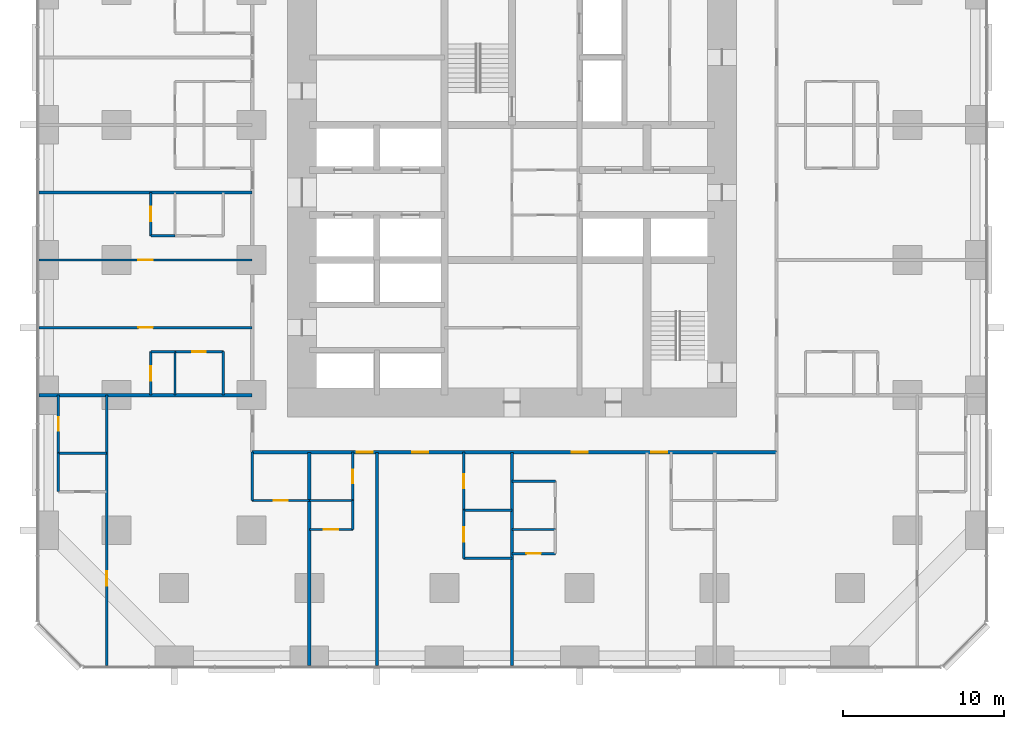
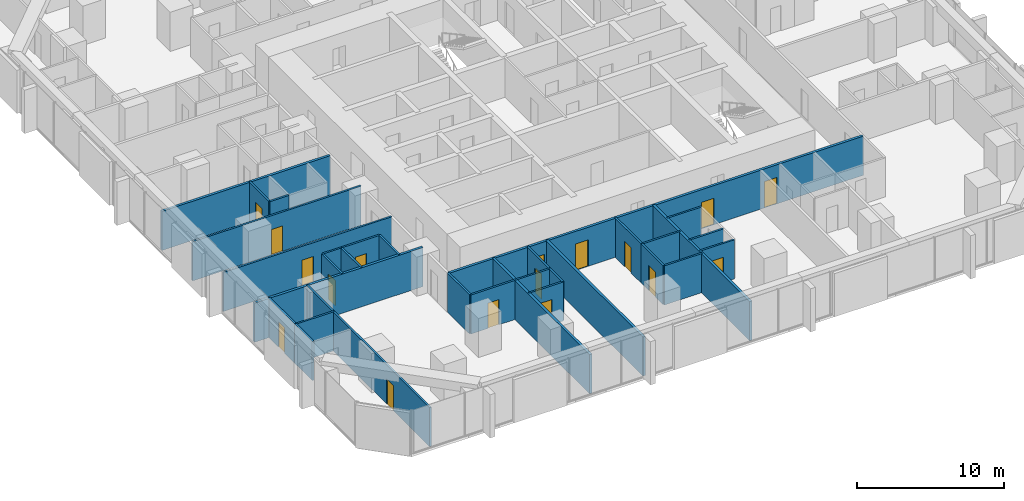
# One storey, part 11 of 17: 32 walls, 17 doors, 17 openings.
"""IFC4 building model written with IfcOpenShell, lengths in metres."""

from ifc_helpers import new_model, si_unit, direction, frame, frame_2d, origin, place, context, subcontext, project, spatial, rectangle, extrude, material, layer, layer_set, type_object, element, fill, save


model = new_model("IFC4")

# Units and contexts
model_context = context("Model", 3, precision=1e-05, world=origin(), true_north=direction((0.0, 1.0)))
body_context = subcontext(model_context, "Body", "Model", "MODEL_VIEW")
ifc_project = project(units=[si_unit("LENGTHUNIT", "METRE"), si_unit("AREAUNIT", "SQUARE_METRE"), si_unit("VOLUMEUNIT", "CUBIC_METRE"), si_unit("PLANEANGLEUNIT", "RADIAN"), si_unit("MASSUNIT", "GRAM", prefix="KILO")], contexts=[model_context])

# Site, building, storey
site_placement = place(None, origin())
site = spatial("IfcSite", under=ifc_project, at=site_placement, CompositionType="ELEMENT")
building_placement = place(site_placement, origin())
building = spatial("IfcBuilding", under=site, at=building_placement, Name="Dunama Terrace Hotel", CompositionType="ELEMENT")
storey_placement = place(building_placement, frame((0.0, 0.0, 34.199951171875)))
storey = spatial("IfcBuildingStorey", under=building, at=storey_placement, Name="L07", CompositionType="ELEMENT", Elevation=34.199951171875)

# Wall, opening, door
ifc_material_1 = material(Name="Gypsum board partition", Category="masonry")
ifc_layer_1 = layer(ifc_material_1, 0.14990234375)
ifc_layer_set_1 = layer_set([ifc_layer_1], Name="Bathroom partition 150")
wall_type_1 = type_object("IfcWallType", Name="Bathroom partition 150", PredefinedType="PARTITIONING", material=ifc_layer_set_1)
wall_1_placement = place(storey_placement, frame((1.199951171875, 13.199951171875, 0.0), z_axis=(0.0, 0.0, 1.0), x_axis=(0.0, 1.0, 0.0)))
wall_1 = element("IfcWall", 1, at=wall_1_placement, inside=storey, type_object=wall_type_1, Name="Bathroom partition 150 L07", PredefinedType="PARTITIONING", context=body_context, shape_type="SweptSolid", body=[
    extrude(rectangle(XDim=3.60009765625, YDim=0.14990234375, at=frame_2d((1.800048828125, 0.0))), origin(), (0.0, 0.0, 1.0), 3.25),
])
opening_1_placement = place(wall_1_placement, frame((1.375, 0.0, 0.0)))
opening_1 = element("IfcOpeningElement", 2, at=opening_1_placement, cuts=wall_1, Name="Opening L07-09-061", PredefinedType="OPENING", context=body_context, shape_type="SweptSolid", body=[
    extrude(rectangle(XDim=0.85009765625, YDim=2.10009765625, at=frame_2d((0.425048828125, 1.050048828125))), frame((0.0, 0.0849609375, 0.0), z_axis=(0.0, -1.0, 0.0), x_axis=(1.0, 0.0, 0.0)), (0.0, 0.0, 1.0), 0.169921875),
])
ifc_material_2 = material(Name="Timber door with steel frame", Category="steel")
door_type_1 = type_object("IfcDoorType", Name="Bathroom door 850", OperationType="SINGLE_SWING_LEFT", PredefinedType="DOOR", material=ifc_material_2)
door_1_placement = place(opening_1_placement, frame((0.85009765625, 0.0, 0.0), z_axis=(0.0, 0.0, 1.0), x_axis=(-1.0, 0.0, 0.0)))
door_1 = element("IfcDoor", 3, at=door_1_placement, inside=storey, type_object=door_type_1, Name="Door to en-suite bathroom L07-09-061, type D2", OperationType="SINGLE_SWING_LEFT", OverallHeight=2.10009765625, OverallWidth=0.85009765625, PredefinedType="DOOR", context=body_context, shape_type="SweptSolid", body=[
    extrude(rectangle(XDim=0.85009765625, YDim=2.10009765625, at=frame_2d((0.425048828125, 1.050048828125))), frame((0.0, 0.025146484375, 0.0), z_axis=(0.0, -1.0, 0.0), x_axis=(1.0, 0.0, 0.0)), (0.0, 0.0, 1.0), 0.050048828125),
])
fill(opening_1, door_1)

# Walls
wall_2_placement = place(storey_placement, frame((11.449951171875, 16.800048828125, 0.0), z_axis=(0.0, 0.0, 1.0), x_axis=(0.0, 1.0, 0.0)))
element("IfcWall", 4, at=wall_2_placement, inside=storey, type_object=wall_type_1, Name="Bathroom partition 150 L07", PredefinedType="PARTITIONING", context=body_context, shape_type="SweptSolid", body=[
    extrude(rectangle(XDim=2.699951171875, YDim=0.14990234375, at=frame_2d((1.35009765625, 0.0))), origin(), (0.0, 0.0, 1.0), 3.25),
])
wall_3_placement = place(storey_placement, frame((13.25, 10.25, 0.0), z_axis=(0.0, 0.0, 1.0), x_axis=(0.0, 1.0, 0.0)))
element("IfcWall", 5, at=wall_3_placement, inside=storey, type_object=wall_type_1, Name="Bathroom partition 150 L07", PredefinedType="PARTITIONING", context=body_context, shape_type="SweptSolid", body=[
    extrude(rectangle(XDim=3.0, YDim=0.14990234375, at=frame_2d((1.5, 0.0))), origin(), (0.0, 0.0, 1.0), 3.25),
])

# Wall, opening, door
wall_4_placement = place(storey_placement, frame((19.5, 10.25, 0.0), z_axis=(0.0, 0.0, 1.0), x_axis=(0.0, 1.0, 0.0)))
wall_4 = element("IfcWall", 6, at=wall_4_placement, inside=storey, type_object=wall_type_1, Name="Bathroom partition 150 L07", PredefinedType="PARTITIONING", context=body_context, shape_type="SweptSolid", body=[
    extrude(rectangle(XDim=3.0, YDim=0.14990234375, at=frame_2d((1.5, 0.0))), origin(), (0.0, 0.0, 1.0), 3.25),
])
opening_2_placement = place(wall_4_placement, frame((1.074951171875, 0.0, 0.0)))
opening_2 = element("IfcOpeningElement", 7, at=opening_2_placement, cuts=wall_4, Name="Opening L07-09-010", PredefinedType="OPENING", context=body_context, shape_type="SweptSolid", body=[
    extrude(rectangle(XDim=0.85009765625, YDim=2.10009765625, at=frame_2d((0.425048828125, 1.050048828125))), frame((0.0, 0.0849609375, 0.0), z_axis=(0.0, -1.0, 0.0), x_axis=(1.0, 0.0, 0.0)), (0.0, 0.0, 1.0), 0.169921875),
])
door_2_placement = place(opening_2_placement, origin())
door_2 = element("IfcDoor", 8, at=door_2_placement, inside=storey, type_object=door_type_1, Name="Door to en-suite bathroom L07-09-010, type D2", OperationType="SINGLE_SWING_RIGHT", OverallHeight=2.10009765625, OverallWidth=0.85009765625, PredefinedType="DOOR", context=body_context, shape_type="SweptSolid", body=[
    extrude(rectangle(XDim=0.85009765625, YDim=2.10009765625, at=frame_2d((0.425048828125, 1.050048828125))), frame((0.0, 0.02490234375, 0.0), z_axis=(0.0, -1.0, 0.0), x_axis=(1.0, 0.0, 0.0)), (0.0, 0.0, 1.0), 0.050048828125),
])
fill(opening_2, door_2)

wall_5_placement = place(storey_placement, frame((26.39990234375, 9.64990234375, 0.0), z_axis=(0.0, 0.0, 1.0), x_axis=(0.0, 1.0, 0.0)))
wall_5 = element("IfcWall", 9, at=wall_5_placement, inside=storey, type_object=wall_type_1, Name="Bathroom partition 150 L07", PredefinedType="PARTITIONING", context=body_context, shape_type="SweptSolid", body=[
    extrude(rectangle(XDim=3.60009765625, YDim=0.14990234375, at=frame_2d((1.800048828125, 0.0))), origin(), (0.0, 0.0, 1.0), 3.25),
])
opening_3_placement = place(wall_5_placement, frame((1.375, 0.0, 0.0)))
opening_3 = element("IfcOpeningElement", 10, at=opening_3_placement, cuts=wall_5, Name="Opening L07-09-013", PredefinedType="OPENING", context=body_context, shape_type="SweptSolid", body=[
    extrude(rectangle(XDim=0.85009765625, YDim=2.10009765625, at=frame_2d((0.425048828125, 1.050048828125))), frame((0.0, 0.0849609375, 0.0), z_axis=(0.0, -1.0, 0.0), x_axis=(1.0, 0.0, 0.0)), (0.0, 0.0, 1.0), 0.169921875),
])
door_3_placement = place(opening_3_placement, frame((0.85009765625, 0.0, 0.0), z_axis=(0.0, 0.0, 1.0), x_axis=(-1.0, 0.0, 0.0)))
door_3 = element("IfcDoor", 11, at=door_3_placement, inside=storey, type_object=door_type_1, Name="Door to en-suite bathroom L07-09-013, type D2", OperationType="SINGLE_SWING_LEFT", OverallHeight=2.10009765625, OverallWidth=0.85009765625, PredefinedType="DOOR", context=body_context, shape_type="SweptSolid", body=[
    extrude(rectangle(XDim=0.85009765625, YDim=2.10009765625, at=frame_2d((0.425048828125, 1.050048828125))), frame((0.0, 0.025146484375, 0.0), z_axis=(0.0, -1.0, 0.0), x_axis=(1.0, 0.0, 0.0)), (0.0, 0.0, 1.0), 0.050048828125),
])
fill(opening_3, door_3)

wall_6_placement = place(storey_placement, frame((13.25, 10.25, 0.0), z_axis=(0.0, 0.0, 1.0), x_axis=(1.0, 0.0, 0.0)))
wall_6 = element("IfcWall", 12, at=wall_6_placement, inside=storey, type_object=wall_type_1, Name="Bathroom partition 150 L07", PredefinedType="PARTITIONING", context=body_context, shape_type="SweptSolid", body=[
    extrude(rectangle(XDim=3.550048828125, YDim=0.14990234375, at=frame_2d((1.77490234375, 0.0))), origin(), (0.0, 0.0, 1.0), 3.25),
])
opening_4_placement = place(wall_6_placement, frame((1.35009765625, 0.0, 0.0)))
opening_4 = element("IfcOpeningElement", 13, at=opening_4_placement, cuts=wall_6, Name="Opening L07-09-059", PredefinedType="OPENING", context=body_context, shape_type="SweptSolid", body=[
    extrude(rectangle(XDim=0.85009765625, YDim=2.10009765625, at=frame_2d((0.425048828125, 1.050048828125))), frame((0.0, 0.0849609375, 0.0), z_axis=(0.0, -1.0, 0.0), x_axis=(1.0, 0.0, 0.0)), (0.0, 0.0, 1.0), 0.169921875),
])
door_4_placement = place(opening_4_placement, origin())
door_4 = element("IfcDoor", 14, at=door_4_placement, inside=storey, type_object=door_type_1, Name="Door to powder room L07-09-059, type D2", OperationType="SINGLE_SWING_LEFT", OverallHeight=2.10009765625, OverallWidth=0.85009765625, PredefinedType="DOOR", context=body_context, shape_type="SweptSolid", body=[
    extrude(rectangle(XDim=0.85009765625, YDim=2.10009765625, at=frame_2d((0.425048828125, 1.050048828125))), frame((0.0, 0.02490234375, 0.0), z_axis=(0.0, -1.0, 0.0), x_axis=(1.0, 0.0, 0.0)), (0.0, 0.0, 1.0), 0.050048828125),
])
fill(opening_4, door_4)

# Wall
wall_7_placement = place(storey_placement, frame((29.39990234375, 11.449951171875, 0.0), z_axis=(0.0, 0.0, 1.0), x_axis=(1.0, 0.0, 0.0)))
element("IfcWall", 15, at=wall_7_placement, inside=storey, type_object=wall_type_1, Name="Bathroom partition 150 L07", PredefinedType="PARTITIONING", context=body_context, shape_type="SweptSolid", body=[
    extrude(rectangle(XDim=2.7001953125, YDim=0.14990234375, at=frame_2d((1.35009765625, 0.0))), origin(), (0.0, 0.0, 1.0), 3.25),
])

# Wall, opening, door
wall_8_placement = place(storey_placement, frame((8.449951171875, 19.5, 0.0), z_axis=(0.0, 0.0, 1.0), x_axis=(1.0, 0.0, 0.0)))
wall_8 = element("IfcWall", 16, at=wall_8_placement, inside=storey, type_object=wall_type_1, Name="Bathroom partition 150 L07", PredefinedType="PARTITIONING", context=body_context, shape_type="SweptSolid", body=[
    extrude(rectangle(XDim=3.0, YDim=0.14990234375, at=frame_2d((1.5, 0.0))), origin(), (0.0, 0.0, 1.0), 3.25),
])
opening_5_placement = place(wall_8_placement, frame((1.074951171875, 0.0, 0.0)))
opening_5 = element("IfcOpeningElement", 17, at=opening_5_placement, cuts=wall_8, Name="Opening L07-09-044", PredefinedType="OPENING", context=body_context, shape_type="SweptSolid", body=[
    extrude(rectangle(XDim=0.85009765625, YDim=2.10009765625, at=frame_2d((0.425048828125, 1.050048828125))), frame((0.0, 0.0849609375, 0.0), z_axis=(0.0, -1.0, 0.0), x_axis=(1.0, 0.0, 0.0)), (0.0, 0.0, 1.0), 0.169921875),
])
door_5_placement = place(opening_5_placement, frame((0.85009765625, 0.0, 0.0), z_axis=(0.0, 0.0, 1.0), x_axis=(-1.0, 0.0, 0.0)))
door_5 = element("IfcDoor", 18, at=door_5_placement, inside=storey, type_object=door_type_1, Name="Door to en-suite bathroom L07-09-044, type D2", OperationType="SINGLE_SWING_RIGHT", OverallHeight=2.10009765625, OverallWidth=0.85009765625, PredefinedType="DOOR", context=body_context, shape_type="SweptSolid", body=[
    extrude(rectangle(XDim=0.85009765625, YDim=2.10009765625, at=frame_2d((0.425048828125, 1.050048828125))), frame((0.0, 0.025146484375, 0.0), z_axis=(0.0, -1.0, 0.0), x_axis=(1.0, 0.0, 0.0)), (0.0, 0.0, 1.0), 0.050048828125),
])
fill(opening_5, door_5)

# Wall, openings, doors
ifc_material_3 = material(Name="Concrete blockwork", Category="masonry")
ifc_layer_2 = layer(ifc_material_3, 0.199951171875)
ifc_layer_set_2 = layer_set([ifc_layer_2], Name="Corridor partition 200")
wall_type_2 = type_object("IfcWallType", Name="Corridor partition 200", PredefinedType="PARTITIONING", material=ifc_layer_set_2)
wall_9_placement = place(storey_placement, frame((45.85009765625, 13.25, 0.0), z_axis=(0.0, 0.0, 1.0), x_axis=(-1.0, 0.0, 0.0)))
wall_9 = element("IfcWall", 19, at=wall_9_placement, inside=storey, type_object=wall_type_2, Name="Corridor partition 200 L07", PredefinedType="PARTITIONING", context=body_context, shape_type="SweptSolid", body=[
    extrude(rectangle(XDim=32.60009765625, YDim=0.199951171875, at=frame_2d((16.300048828125, 0.0))), origin(), (0.0, 0.0, 1.0), 3.25),
])
opening_6_placement = place(wall_9_placement, frame((25.10009765625, 0.0, 0.0)))
opening_6 = element("IfcOpeningElement", 20, at=opening_6_placement, cuts=wall_9, Name="Opening L07-09-009", PredefinedType="OPENING", context=body_context, shape_type="SweptSolid", body=[
    extrude(rectangle(XDim=1.0, YDim=2.199951171875, at=frame_2d((0.5, 1.10009765625))), frame((0.0, 0.10986328125, 0.0), z_axis=(0.0, -1.0, 0.0), x_axis=(1.0, 0.0, 0.0)), (0.0, 0.0, 1.0), 0.219970703125),
])
opening_7_placement = place(wall_9_placement, frame((21.64990234375, 0.0, 0.0)))
opening_7 = element("IfcOpeningElement", 21, at=opening_7_placement, cuts=wall_9, Name="Opening L07-09-012", PredefinedType="OPENING", context=body_context, shape_type="SweptSolid", body=[
    extrude(rectangle(XDim=1.0, YDim=2.199951171875, at=frame_2d((0.5, 1.10009765625))), frame((0.0, 0.10986328125, 0.0), z_axis=(0.0, -1.0, 0.0), x_axis=(1.0, 0.0, 0.0)), (0.0, 0.0, 1.0), 0.219970703125),
])
opening_8_placement = place(wall_9_placement, frame((11.75, 0.0, 0.0)))
opening_8 = element("IfcOpeningElement", 22, at=opening_8_placement, cuts=wall_9, Name="Opening L07-09-015", PredefinedType="OPENING", context=body_context, shape_type="SweptSolid", body=[
    extrude(rectangle(XDim=1.0, YDim=2.199951171875, at=frame_2d((0.5, 1.10009765625))), frame((0.0, 0.10986328125, 0.0), z_axis=(0.0, -1.0, 0.0), x_axis=(1.0, 0.0, 0.0)), (0.0, 0.0, 1.0), 0.219970703125),
])
opening_9_placement = place(wall_9_placement, frame((6.800048828125, 0.0, 0.0)))
opening_9 = element("IfcOpeningElement", 23, at=opening_9_placement, cuts=wall_9, Name="Opening L07-09-018", PredefinedType="OPENING", context=body_context, shape_type="SweptSolid", body=[
    extrude(rectangle(XDim=1.0, YDim=2.199951171875, at=frame_2d((0.5, 1.10009765625))), frame((0.0, 0.10986328125, 0.0), z_axis=(0.0, -1.0, 0.0), x_axis=(1.0, 0.0, 0.0)), (0.0, 0.0, 1.0), 0.219970703125),
])
ifc_material_4 = material(Name="Timber door with steel frame", Category="steel")
door_type_2 = type_object("IfcDoorType", Name="Guest room door 1000", OperationType="SINGLE_SWING_LEFT", PredefinedType="DOOR", material=ifc_material_4)
door_6_placement = place(opening_6_placement, origin())
door_6 = element("IfcDoor", 24, at=door_6_placement, inside=storey, type_object=door_type_2, Name="Door to deluxe room L07-09-009, type D1", OperationType="SINGLE_SWING_LEFT", OverallHeight=2.199951171875, OverallWidth=1.0, PredefinedType="DOOR", context=body_context, shape_type="SweptSolid", body=[
    extrude(rectangle(XDim=1.0, YDim=2.199951171875, at=frame_2d((0.5, 1.10009765625))), frame((0.0, 0.02490234375, 0.0), z_axis=(0.0, -1.0, 0.0), x_axis=(1.0, 0.0, 0.0)), (0.0, 0.0, 1.0), 0.050048828125),
])
fill(opening_6, door_6)
door_7_placement = place(opening_7_placement, origin())
door_7 = element("IfcDoor", 25, at=door_7_placement, inside=storey, type_object=door_type_2, Name="Door to bridal suite L07-09-012, type D1", OperationType="SINGLE_SWING_RIGHT", OverallHeight=2.199951171875, OverallWidth=1.0, PredefinedType="DOOR", context=body_context, shape_type="SweptSolid", body=[
    extrude(rectangle(XDim=1.0, YDim=2.199951171875, at=frame_2d((0.5, 1.10009765625))), frame((0.0, 0.02490234375, 0.0), z_axis=(0.0, -1.0, 0.0), x_axis=(1.0, 0.0, 0.0)), (0.0, 0.0, 1.0), 0.050048828125),
])
fill(opening_7, door_7)
door_8_placement = place(opening_8_placement, origin())
door_8 = element("IfcDoor", 26, at=door_8_placement, inside=storey, type_object=door_type_2, Name="Door to junior suite L07-09-015, type D1", OperationType="SINGLE_SWING_RIGHT", OverallHeight=2.199951171875, OverallWidth=1.0, PredefinedType="DOOR", context=body_context, shape_type="SweptSolid", body=[
    extrude(rectangle(XDim=1.0, YDim=2.199951171875, at=frame_2d((0.5, 1.10009765625))), frame((0.0, 0.02490234375, 0.0), z_axis=(0.0, -1.0, 0.0), x_axis=(1.0, 0.0, 0.0)), (0.0, 0.0, 1.0), 0.050048828125),
])
fill(opening_8, door_8)
door_9_placement = place(opening_9_placement, origin())
door_9 = element("IfcDoor", 27, at=door_9_placement, inside=storey, type_object=door_type_2, Name="Door to deluxe room L07-09-018, type D1", OperationType="SINGLE_SWING_RIGHT", OverallHeight=2.199951171875, OverallWidth=1.0, PredefinedType="DOOR", context=body_context, shape_type="SweptSolid", body=[
    extrude(rectangle(XDim=1.0, YDim=2.199951171875, at=frame_2d((0.5, 1.10009765625))), frame((0.0, 0.02490234375, 0.0), z_axis=(0.0, -1.0, 0.0), x_axis=(1.0, 0.0, 0.0)), (0.0, 0.0, 1.0), 0.050048828125),
])
fill(opening_9, door_9)

# Walls
ifc_material_5 = material(Name="Concrete blockwork", Category="masonry")
ifc_layer_3 = layer(ifc_material_5, 0.199951171875)
ifc_layer_set_3 = layer_set([ifc_layer_3], Name="Party wall 200")
wall_type_3 = type_object("IfcWallType", Name="Party wall 200", PredefinedType="PARTITIONING", material=ifc_layer_set_3)
for number, where, z_axis, x_axis, name in (
    (28, (16.800048828125, -0.008056640625, 0.0), (0.0, 0.0, 1.0), (0.0, 1.0, 0.0), "Party wall 200 L07"),
    (29, (21.0, -0.008056640625, 0.0), (0.0, 0.0, 1.0), (0.0, 1.0, 0.0), "Party wall 200 L07"),
    (30, (29.39990234375, -0.008056640625, 0.0), (0.0, 0.0, 1.0), (0.0, 1.0, 0.0), "Party wall 200 L07"),
    (31, (-0.008056640625, 16.800048828125, 0.0), (0.0, 0.0, 1.0), (1.0, 0.0, 0.0), "Party wall 200 L07"),
    (32, (-0.008056640625, 29.39990234375, 0.0), (0.0, 0.0, 1.0), (1.0, 0.0, 0.0), "Party wall 200 L07"),
):
    element("IfcWall", number, at=place(storey_placement, frame(where, z_axis=z_axis, x_axis=x_axis)), inside=storey, type_object=wall_type_3, Name=name, PredefinedType="PARTITIONING", context=body_context, shape_type="SweptSolid", body=[
        extrude(rectangle(XDim=13.258056640625, YDim=0.199951171875, at=frame_2d((6.62890625, 0.0))), origin(), (0.0, 0.0, 1.0), 3.25),
    ])
ifc_material_6 = material(Name="Gypsum board partition", Category="masonry")
ifc_layer_4 = layer(ifc_material_6, 0.14990234375)
ifc_layer_set_4 = layer_set([ifc_layer_4], Name="Room partition 150")
wall_type_4 = type_object("IfcWallType", Name="Room partition 150", PredefinedType="PARTITIONING", material=ifc_layer_set_4)
wall_10_placement = place(storey_placement, frame((1.199951171875, 10.800048828125, 0.0), z_axis=(0.0, 0.0, 1.0), x_axis=(0.0, 1.0, 0.0)))
element("IfcWall", 33, at=wall_10_placement, inside=storey, type_object=wall_type_4, Name="Room partition 150 L07", PredefinedType="PARTITIONING", context=body_context, shape_type="SweptSolid", body=[
    extrude(rectangle(XDim=2.39990234375, YDim=0.14990234375, at=frame_2d((1.199951171875, 0.0))), origin(), (0.0, 0.0, 1.0), 3.25),
])

# Wall, opening, door
wall_11_placement = place(storey_placement, frame((4.199951171875, -0.008056640625, 0.0), z_axis=(0.0, 0.0, 1.0), x_axis=(0.0, 1.0, 0.0)))
wall_11 = element("IfcWall", 34, at=wall_11_placement, inside=storey, type_object=wall_type_4, Name="Room partition 150 L07", PredefinedType="PARTITIONING", context=body_context, shape_type="SweptSolid", body=[
    extrude(rectangle(XDim=16.80810546875, YDim=0.14990234375, at=frame_2d((8.404052734375, 0.0))), origin(), (0.0, 0.0, 1.0), 3.25),
])
opening_10_placement = place(wall_11_placement, frame((4.9580078125, 0.0, 0.0)))
opening_10 = element("IfcOpeningElement", 35, at=opening_10_placement, cuts=wall_11, Name="Opening L07-09-060", PredefinedType="OPENING", context=body_context, shape_type="SweptSolid", body=[
    extrude(rectangle(XDim=0.89990234375, YDim=2.10009765625, at=frame_2d((0.449951171875, 1.050048828125))), frame((0.0, 0.0849609375, 0.0), z_axis=(0.0, -1.0, 0.0), x_axis=(1.0, 0.0, 0.0)), (0.0, 0.0, 1.0), 0.169921875),
])
ifc_material_7 = material(Name="Timber door with steel frame", Category="steel")
door_type_3 = type_object("IfcDoorType", Name="Suite internal door 900", OperationType="SINGLE_SWING_LEFT", PredefinedType="DOOR", material=ifc_material_7)
door_10_placement = place(opening_10_placement, origin())
door_10 = element("IfcDoor", 36, at=door_10_placement, inside=storey, type_object=door_type_3, Name="Door to corner suite bedroom L07-09-060, type D16", OperationType="SINGLE_SWING_RIGHT", OverallHeight=2.10009765625, OverallWidth=0.89990234375, PredefinedType="DOOR", context=body_context, shape_type="SweptSolid", body=[
    extrude(rectangle(XDim=0.89990234375, YDim=2.10009765625, at=frame_2d((0.449951171875, 1.050048828125))), frame((0.0, 0.02490234375, 0.0), z_axis=(0.0, -1.0, 0.0), x_axis=(1.0, 0.0, 0.0)), (0.0, 0.0, 1.0), 0.050048828125),
])
fill(opening_10, door_10)

wall_12_placement = place(storey_placement, frame((6.949951171875, 16.800048828125, 0.0), z_axis=(0.0, 0.0, 1.0), x_axis=(0.0, 1.0, 0.0)))
wall_12 = element("IfcWall", 37, at=wall_12_placement, inside=storey, type_object=wall_type_4, Name="Room partition 150 L07", PredefinedType="PARTITIONING", context=body_context, shape_type="SweptSolid", body=[
    extrude(rectangle(XDim=2.699951171875, YDim=0.14990234375, at=frame_2d((1.35009765625, 0.0))), origin(), (0.0, 0.0, 1.0), 3.25),
])
opening_11_placement = place(wall_12_placement, frame((0.89990234375, 0.0, 0.0)))
opening_11 = element("IfcOpeningElement", 38, at=opening_11_placement, cuts=wall_12, Name="Opening L07-09-045", PredefinedType="OPENING", context=body_context, shape_type="SweptSolid", body=[
    extrude(rectangle(XDim=0.89990234375, YDim=2.10009765625, at=frame_2d((0.449951171875, 1.050048828125))), frame((0.0, 0.0849609375, 0.0), z_axis=(0.0, -1.0, 0.0), x_axis=(1.0, 0.0, 0.0)), (0.0, 0.0, 1.0), 0.169921875),
])
door_11_placement = place(opening_11_placement, frame((0.89990234375, 0.0, 0.0), z_axis=(0.0, 0.0, 1.0), x_axis=(-1.0, 0.0, 0.0)))
door_11 = element("IfcDoor", 39, at=door_11_placement, inside=storey, type_object=door_type_3, Name="Door to walk-in wardrobe L07-09-045, type D16", OperationType="SINGLE_SWING_RIGHT", OverallHeight=2.10009765625, OverallWidth=0.89990234375, PredefinedType="DOOR", context=body_context, shape_type="SweptSolid", body=[
    extrude(rectangle(XDim=0.89990234375, YDim=2.10009765625, at=frame_2d((0.449951171875, 1.050048828125))), frame((0.0, 0.025146484375, 0.0), z_axis=(0.0, -1.0, 0.0), x_axis=(1.0, 0.0, 0.0)), (0.0, 0.0, 1.0), 0.050048828125),
])
fill(opening_11, door_11)

wall_13_placement = place(storey_placement, frame((6.949951171875, 26.699951171875, 0.0), z_axis=(0.0, 0.0, 1.0), x_axis=(0.0, 1.0, 0.0)))
wall_13 = element("IfcWall", 40, at=wall_13_placement, inside=storey, type_object=wall_type_4, Name="Room partition 150 L07", PredefinedType="PARTITIONING", context=body_context, shape_type="SweptSolid", body=[
    extrude(rectangle(XDim=2.699951171875, YDim=0.14990234375, at=frame_2d((1.35009765625, 0.0))), origin(), (0.0, 0.0, 1.0), 3.25),
])
opening_12_placement = place(wall_13_placement, frame((0.89990234375, 0.0, 0.0)))
opening_12 = element("IfcOpeningElement", 41, at=opening_12_placement, cuts=wall_13, Name="Opening L07-09-048", PredefinedType="OPENING", context=body_context, shape_type="SweptSolid", body=[
    extrude(rectangle(XDim=0.89990234375, YDim=2.10009765625, at=frame_2d((0.449951171875, 1.050048828125))), frame((0.0, 0.0849609375, 0.0), z_axis=(0.0, -1.0, 0.0), x_axis=(1.0, 0.0, 0.0)), (0.0, 0.0, 1.0), 0.169921875),
])
door_12_placement = place(opening_12_placement, frame((0.89990234375, 0.0, 0.0), z_axis=(0.0, 0.0, 1.0), x_axis=(-1.0, 0.0, 0.0)))
door_12 = element("IfcDoor", 42, at=door_12_placement, inside=storey, type_object=door_type_3, Name="Door to walk-in wardrobe L07-09-048, type D16", OperationType="SINGLE_SWING_RIGHT", OverallHeight=2.10009765625, OverallWidth=0.89990234375, PredefinedType="DOOR", context=body_context, shape_type="SweptSolid", body=[
    extrude(rectangle(XDim=0.89990234375, YDim=2.10009765625, at=frame_2d((0.449951171875, 1.050048828125))), frame((0.0, 0.025146484375, 0.0), z_axis=(0.0, -1.0, 0.0), x_axis=(1.0, 0.0, 0.0)), (0.0, 0.0, 1.0), 0.050048828125),
])
fill(opening_12, door_12)

# Walls
wall_14_placement = place(storey_placement, frame((8.449951171875, 16.800048828125, 0.0), z_axis=(0.0, 0.0, 1.0), x_axis=(0.0, 1.0, 0.0)))
element("IfcWall", 43, at=wall_14_placement, inside=storey, type_object=wall_type_4, Name="Room partition 150 L07", PredefinedType="PARTITIONING", context=body_context, shape_type="SweptSolid", body=[
    extrude(rectangle(XDim=2.699951171875, YDim=0.14990234375, at=frame_2d((1.35009765625, 0.0))), origin(), (0.0, 0.0, 1.0), 3.25),
])
wall_15_placement = place(storey_placement, frame((19.5, 8.449951171875, 0.0), z_axis=(0.0, 0.0, 1.0), x_axis=(0.0, 1.0, 0.0)))
element("IfcWall", 44, at=wall_15_placement, inside=storey, type_object=wall_type_4, Name="Room partition 150 L07", PredefinedType="PARTITIONING", context=body_context, shape_type="SweptSolid", body=[
    extrude(rectangle(XDim=1.800048828125, YDim=0.14990234375, at=frame_2d((0.89990234375, 0.0))), origin(), (0.0, 0.0, 1.0), 3.25),
])

# Wall, opening, door
wall_16_placement = place(storey_placement, frame((26.39990234375, 6.64990234375, 0.0), z_axis=(0.0, 0.0, 1.0), x_axis=(0.0, 1.0, 0.0)))
wall_16 = element("IfcWall", 45, at=wall_16_placement, inside=storey, type_object=wall_type_4, Name="Room partition 150 L07", PredefinedType="PARTITIONING", context=body_context, shape_type="SweptSolid", body=[
    extrude(rectangle(XDim=3.0, YDim=0.14990234375, at=frame_2d((1.5, 0.0))), origin(), (0.0, 0.0, 1.0), 3.25),
])
opening_13_placement = place(wall_16_placement, frame((1.050048828125, 0.0, 0.0)))
opening_13 = element("IfcOpeningElement", 46, at=opening_13_placement, cuts=wall_16, Name="Opening L07-09-014", PredefinedType="OPENING", context=body_context, shape_type="SweptSolid", body=[
    extrude(rectangle(XDim=0.89990234375, YDim=2.10009765625, at=frame_2d((0.449951171875, 1.050048828125))), frame((0.0, 0.0849609375, 0.0), z_axis=(0.0, -1.0, 0.0), x_axis=(1.0, 0.0, 0.0)), (0.0, 0.0, 1.0), 0.169921875),
])
door_13_placement = place(opening_13_placement, frame((0.89990234375, 0.0, 0.0), z_axis=(0.0, 0.0, 1.0), x_axis=(-1.0, 0.0, 0.0)))
door_13 = element("IfcDoor", 47, at=door_13_placement, inside=storey, type_object=door_type_3, Name="Door to bridal dressing room L07-09-014, type D16", OperationType="SINGLE_SWING_RIGHT", OverallHeight=2.10009765625, OverallWidth=0.89990234375, PredefinedType="DOOR", context=body_context, shape_type="SweptSolid", body=[
    extrude(rectangle(XDim=0.89990234375, YDim=2.10009765625, at=frame_2d((0.449951171875, 1.050048828125))), frame((0.0, 0.025146484375, 0.0), z_axis=(0.0, -1.0, 0.0), x_axis=(1.0, 0.0, 0.0)), (0.0, 0.0, 1.0), 0.050048828125),
])
fill(opening_13, door_13)

# Wall
wall_17_placement = place(storey_placement, frame((26.39990234375, 6.64990234375, 0.0), z_axis=(0.0, 0.0, 1.0), x_axis=(1.0, 0.0, 0.0)))
element("IfcWall", 48, at=wall_17_placement, inside=storey, type_object=wall_type_4, Name="Room partition 150 L07", PredefinedType="PARTITIONING", context=body_context, shape_type="SweptSolid", body=[
    extrude(rectangle(XDim=3.0, YDim=0.14990234375, at=frame_2d((1.5, 0.0))), origin(), (0.0, 0.0, 1.0), 3.25),
])

# Wall, opening, door
wall_18_placement = place(storey_placement, frame((29.39990234375, 6.949951171875, 0.0), z_axis=(0.0, 0.0, 1.0), x_axis=(1.0, 0.0, 0.0)))
wall_18 = element("IfcWall", 49, at=wall_18_placement, inside=storey, type_object=wall_type_4, Name="Room partition 150 L07", PredefinedType="PARTITIONING", context=body_context, shape_type="SweptSolid", body=[
    extrude(rectangle(XDim=2.7001953125, YDim=0.14990234375, at=frame_2d((1.35009765625, 0.0))), origin(), (0.0, 0.0, 1.0), 3.25),
])
opening_14_placement = place(wall_18_placement, frame((0.89990234375, 0.0, 0.0)))
opening_14 = element("IfcOpeningElement", 50, at=opening_14_placement, cuts=wall_18, Name="Opening L07-09-017", PredefinedType="OPENING", context=body_context, shape_type="SweptSolid", body=[
    extrude(rectangle(XDim=0.89990234375, YDim=2.10009765625, at=frame_2d((0.449951171875, 1.050048828125))), frame((0.0, 0.0849609375, 0.0), z_axis=(0.0, -1.0, 0.0), x_axis=(1.0, 0.0, 0.0)), (0.0, 0.0, 1.0), 0.169921875),
])
door_14_placement = place(opening_14_placement, origin())
door_14 = element("IfcDoor", 51, at=door_14_placement, inside=storey, type_object=door_type_3, Name="Door to walk-in wardrobe L07-09-017, type D16", OperationType="SINGLE_SWING_LEFT", OverallHeight=2.10009765625, OverallWidth=0.89990234375, PredefinedType="DOOR", context=body_context, shape_type="SweptSolid", body=[
    extrude(rectangle(XDim=0.89990234375, YDim=2.10009765625, at=frame_2d((0.449951171875, 1.050048828125))), frame((0.0, 0.02490234375, 0.0), z_axis=(0.0, -1.0, 0.0), x_axis=(1.0, 0.0, 0.0)), (0.0, 0.0, 1.0), 0.050048828125),
])
fill(opening_14, door_14)

wall_19_placement = place(storey_placement, frame((16.800048828125, 8.449951171875, 0.0), z_axis=(0.0, 0.0, 1.0), x_axis=(1.0, 0.0, 0.0)))
wall_19 = element("IfcWall", 52, at=wall_19_placement, inside=storey, type_object=wall_type_4, Name="Room partition 150 L07", PredefinedType="PARTITIONING", context=body_context, shape_type="SweptSolid", body=[
    extrude(rectangle(XDim=2.699951171875, YDim=0.14990234375, at=frame_2d((1.35009765625, 0.0))), origin(), (0.0, 0.0, 1.0), 3.25),
])
opening_15_placement = place(wall_19_placement, frame((0.89990234375, 0.0, 0.0)))
opening_15 = element("IfcOpeningElement", 53, at=opening_15_placement, cuts=wall_19, Name="Opening L07-09-011", PredefinedType="OPENING", context=body_context, shape_type="SweptSolid", body=[
    extrude(rectangle(XDim=0.89990234375, YDim=2.10009765625, at=frame_2d((0.449951171875, 1.050048828125))), frame((0.0, 0.0849609375, 0.0), z_axis=(0.0, -1.0, 0.0), x_axis=(1.0, 0.0, 0.0)), (0.0, 0.0, 1.0), 0.169921875),
])
door_15_placement = place(opening_15_placement, origin())
door_15 = element("IfcDoor", 54, at=door_15_placement, inside=storey, type_object=door_type_3, Name="Door to walk-in wardrobe L07-09-011, type D16", OperationType="SINGLE_SWING_LEFT", OverallHeight=2.10009765625, OverallWidth=0.89990234375, PredefinedType="DOOR", context=body_context, shape_type="SweptSolid", body=[
    extrude(rectangle(XDim=0.89990234375, YDim=2.10009765625, at=frame_2d((0.449951171875, 1.050048828125))), frame((0.0, 0.02490234375, 0.0), z_axis=(0.0, -1.0, 0.0), x_axis=(1.0, 0.0, 0.0)), (0.0, 0.0, 1.0), 0.050048828125),
])
fill(opening_15, door_15)

# Walls
wall_20_placement = place(storey_placement, frame((29.39990234375, 8.449951171875, 0.0), z_axis=(0.0, 0.0, 1.0), x_axis=(1.0, 0.0, 0.0)))
element("IfcWall", 55, at=wall_20_placement, inside=storey, type_object=wall_type_4, Name="Room partition 150 L07", PredefinedType="PARTITIONING", context=body_context, shape_type="SweptSolid", body=[
    extrude(rectangle(XDim=2.7001953125, YDim=0.14990234375, at=frame_2d((1.35009765625, 0.0))), origin(), (0.0, 0.0, 1.0), 3.25),
])
wall_21_placement = place(storey_placement, frame((26.39990234375, 9.64990234375, 0.0), z_axis=(0.0, 0.0, 1.0), x_axis=(1.0, 0.0, 0.0)))
element("IfcWall", 56, at=wall_21_placement, inside=storey, type_object=wall_type_4, Name="Room partition 150 L07", PredefinedType="PARTITIONING", context=body_context, shape_type="SweptSolid", body=[
    extrude(rectangle(XDim=3.0, YDim=0.14990234375, at=frame_2d((1.5, 0.0))), origin(), (0.0, 0.0, 1.0), 3.25),
])
wall_22_placement = place(storey_placement, frame((16.800048828125, 10.25, 0.0), z_axis=(0.0, 0.0, 1.0), x_axis=(1.0, 0.0, 0.0)))
element("IfcWall", 57, at=wall_22_placement, inside=storey, type_object=wall_type_4, Name="Room partition 150 L07", PredefinedType="PARTITIONING", context=body_context, shape_type="SweptSolid", body=[
    extrude(rectangle(XDim=2.699951171875, YDim=0.14990234375, at=frame_2d((1.35009765625, 0.0))), origin(), (0.0, 0.0, 1.0), 3.25),
])
wall_23_placement = place(storey_placement, frame((1.199951171875, 13.199951171875, 0.0), z_axis=(0.0, 0.0, 1.0), x_axis=(1.0, 0.0, 0.0)))
element("IfcWall", 58, at=wall_23_placement, inside=storey, type_object=wall_type_4, Name="Room partition 150 L07", PredefinedType="PARTITIONING", context=body_context, shape_type="SweptSolid", body=[
    extrude(rectangle(XDim=3.0, YDim=0.14990234375, at=frame_2d((1.5, 0.0))), origin(), (0.0, 0.0, 1.0), 3.25),
])
wall_24_placement = place(storey_placement, frame((6.949951171875, 19.5, 0.0), z_axis=(0.0, 0.0, 1.0), x_axis=(1.0, 0.0, 0.0)))
element("IfcWall", 59, at=wall_24_placement, inside=storey, type_object=wall_type_4, Name="Room partition 150 L07", PredefinedType="PARTITIONING", context=body_context, shape_type="SweptSolid", body=[
    extrude(rectangle(XDim=1.5, YDim=0.14990234375, at=frame_2d((0.75, 0.0))), origin(), (0.0, 0.0, 1.0), 3.25),
])

# Wall, opening, door
wall_25_placement = place(storey_placement, frame((-0.008056640625, 21.0, 0.0), z_axis=(0.0, 0.0, 1.0), x_axis=(1.0, 0.0, 0.0)))
wall_25 = element("IfcWall", 60, at=wall_25_placement, inside=storey, type_object=wall_type_4, Name="Room partition 150 L07", PredefinedType="PARTITIONING", context=body_context, shape_type="SweptSolid", body=[
    extrude(rectangle(XDim=13.258056640625, YDim=0.14990234375, at=frame_2d((6.62890625, 0.0))), origin(), (0.0, 0.0, 1.0), 3.25),
])
opening_16_placement = place(wall_25_placement, frame((6.18310546875, 0.0, 0.0)))
opening_16 = element("IfcOpeningElement", 61, at=opening_16_placement, cuts=wall_25, Name="Opening L07-09-043", PredefinedType="OPENING", context=body_context, shape_type="SweptSolid", body=[
    extrude(rectangle(XDim=0.89990234375, YDim=2.10009765625, at=frame_2d((0.449951171875, 1.050048828125))), frame((0.0, 0.0849609375, 0.0), z_axis=(0.0, -1.0, 0.0), x_axis=(1.0, 0.0, 0.0)), (0.0, 0.0, 1.0), 0.169921875),
])
door_16_placement = place(opening_16_placement, frame((0.89990234375, 0.0, 0.0), z_axis=(0.0, 0.0, 1.0), x_axis=(-1.0, 0.0, 0.0)))
door_16 = element("IfcDoor", 62, at=door_16_placement, inside=storey, type_object=door_type_3, Name="Door to family suite bedroom L07-09-043, type D16", OperationType="SINGLE_SWING_LEFT", OverallHeight=2.10009765625, OverallWidth=0.89990234375, PredefinedType="DOOR", context=body_context, shape_type="SweptSolid", body=[
    extrude(rectangle(XDim=0.89990234375, YDim=2.10009765625, at=frame_2d((0.449951171875, 1.050048828125))), frame((0.0, 0.025146484375, 0.0), z_axis=(0.0, -1.0, 0.0), x_axis=(1.0, 0.0, 0.0)), (0.0, 0.0, 1.0), 0.050048828125),
])
fill(opening_16, door_16)

wall_26_placement = place(storey_placement, frame((-0.008056640625, 25.199951171875, 0.0), z_axis=(0.0, 0.0, 1.0), x_axis=(1.0, 0.0, 0.0)))
wall_26 = element("IfcWall", 63, at=wall_26_placement, inside=storey, type_object=wall_type_4, Name="Room partition 150 L07", PredefinedType="PARTITIONING", context=body_context, shape_type="SweptSolid", body=[
    extrude(rectangle(XDim=13.258056640625, YDim=0.14990234375, at=frame_2d((6.62890625, 0.0))), origin(), (0.0, 0.0, 1.0), 3.25),
])
opening_17_placement = place(wall_26_placement, frame((6.18310546875, 0.0, 0.0)))
opening_17 = element("IfcOpeningElement", 64, at=opening_17_placement, cuts=wall_26, Name="Opening L07-09-046", PredefinedType="OPENING", context=body_context, shape_type="SweptSolid", body=[
    extrude(rectangle(XDim=0.89990234375, YDim=2.10009765625, at=frame_2d((0.449951171875, 1.050048828125))), frame((0.0, 0.0849609375, 0.0), z_axis=(0.0, -1.0, 0.0), x_axis=(1.0, 0.0, 0.0)), (0.0, 0.0, 1.0), 0.169921875),
])
door_17_placement = place(opening_17_placement, origin())
door_17 = element("IfcDoor", 65, at=door_17_placement, inside=storey, type_object=door_type_3, Name="Door to family suite second bedroom L07-09-046, type D16", OperationType="SINGLE_SWING_LEFT", OverallHeight=2.10009765625, OverallWidth=0.89990234375, PredefinedType="DOOR", context=body_context, shape_type="SweptSolid", body=[
    extrude(rectangle(XDim=0.89990234375, YDim=2.10009765625, at=frame_2d((0.449951171875, 1.050048828125))), frame((0.0, 0.02490234375, 0.0), z_axis=(0.0, -1.0, 0.0), x_axis=(1.0, 0.0, 0.0)), (0.0, 0.0, 1.0), 0.050048828125),
])
fill(opening_17, door_17)

# Wall
wall_27_placement = place(storey_placement, frame((6.949951171875, 26.699951171875, 0.0), z_axis=(0.0, 0.0, 1.0), x_axis=(1.0, 0.0, 0.0)))
element("IfcWall", 66, at=wall_27_placement, inside=storey, type_object=wall_type_4, Name="Room partition 150 L07", PredefinedType="PARTITIONING", context=body_context, shape_type="SweptSolid", body=[
    extrude(rectangle(XDim=1.5, YDim=0.14990234375, at=frame_2d((0.75, 0.0))), origin(), (0.0, 0.0, 1.0), 3.25),
])

save(model, "model.ifc")
